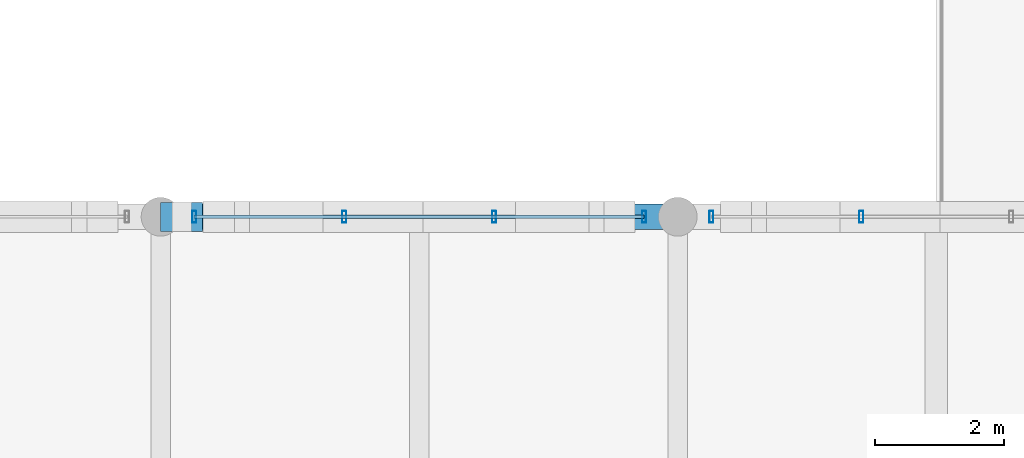
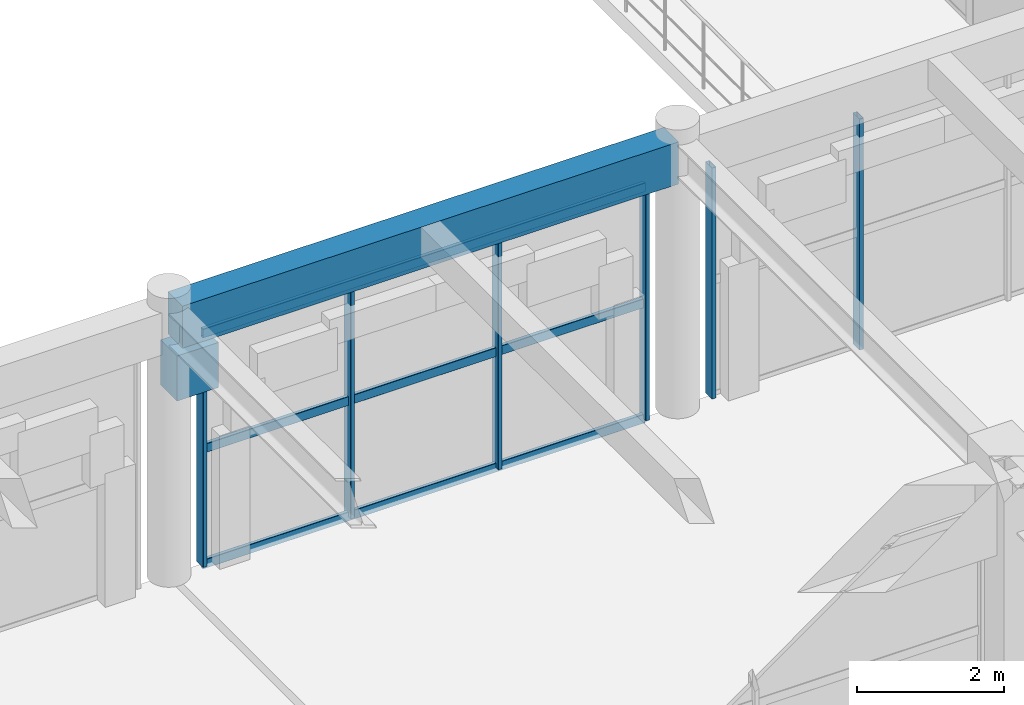
# One storey, part 55 of 144: 9 members, 2 beams, 2 elements without a shape of their own.
"""IFC4 building model written with IfcOpenShell, lengths in metres."""

import ifcopenshell
import ifcopenshell.guid

model = None  # the IFC model being written
_history = None  # IfcOwnerHistory: only IFC2X3 demands one
_inside = {}  # id of a spatial element -> (the spatial element, [elements in it])
_under = {}  # id of a project, library or spatial element -> (it, [spatial elements below it])
_declared = {}  # id of a project -> (the project, [libraries it declares])
_typed = {}  # id of a type object -> (the type object, [elements of that type])
_made_of = {}  # id of a material, layer set ... -> (it, [elements and type objects made of it])


def new_model(schema):
    """Start an empty IFC model of exactly this schema.

    Asked for "IFC4X3", IfcOpenShell would pick the latest addendum, in which some entities
    have other attributes; the version numbers below select the first issue.
    IFC2X3 requires an IfcOwnerHistory on every rooted entity: one is made here for all.
    """
    global model, _history
    if schema == "IFC4X3":
        model = ifcopenshell.file(schema_version=(4, 3, 0, 0))
    else:
        model = ifcopenshell.file(schema=schema)
    _inside.clear()
    _under.clear()
    _declared.clear()
    _typed.clear()
    _made_of.clear()
    _history = None
    if model.schema == "IFC2X3":
        org = make("IfcOrganization", Name="unknown")
        user = make(
            "IfcPersonAndOrganization",
            ThePerson=make("IfcPerson", FamilyName="unknown"),
            TheOrganization=org,
        )
        app = make(
            "IfcApplication",
            ApplicationDeveloper=org,
            Version="unknown",
            ApplicationFullName="unknown",
            ApplicationIdentifier="unknown",
        )
        _history = make(
            "IfcOwnerHistory",
            OwningUser=user,
            OwningApplication=app,
            ChangeAction="ADDED",
            CreationDate=0,
        )
    return model


def make(cls, **values):
    """One entity of the class cls with the attributes given. An attribute that is None is left unset."""
    return model.create_entity(
        cls, **{name: value for name, value in values.items() if value is not None}
    )


def rooted(cls, **values):
    """An entity with a GlobalId (a new one), such as an element, a storey or a relation."""
    return make(cls, GlobalId=ifcopenshell.guid.new(), OwnerHistory=_history, **values)


def si_unit(unit_type, name, prefix=None):
    """IfcSIUnit, for example si_unit("LENGTHUNIT", "METRE", prefix="MILLI")."""
    return make("IfcSIUnit", UnitType=unit_type, Prefix=prefix, Name=name)


def assignment(units):
    """IfcUnitAssignment: the units of a project."""
    return None if units is None else make("IfcUnitAssignment", Units=units)


def point(xyz):
    """IfcCartesianPoint."""
    return None if xyz is None else make("IfcCartesianPoint", Coordinates=xyz)


def direction(xyz):
    """IfcDirection."""
    return None if xyz is None else make("IfcDirection", DirectionRatios=xyz)


def frame(location, z_axis=None, x_axis=None):
    """IfcAxis2Placement3D, a coordinate frame: its origin and axes. An axis left out is left unset."""
    return make(
        "IfcAxis2Placement3D",
        Location=point(location),
        Axis=direction(z_axis),
        RefDirection=direction(x_axis),
    )


def frame_2d(location, x_axis=None):
    """IfcAxis2Placement2D, a coordinate frame in the plane: its origin and x axis."""
    return make(
        "IfcAxis2Placement2D", Location=point(location), RefDirection=direction(x_axis)
    )


def origin():
    """The frame at (0, 0, 0) with its axes left unset."""
    return frame((0.0, 0.0, 0.0))


def origin_2d():
    """The frame at (0, 0) in the plane with its x axis left unset."""
    return frame_2d((0.0, 0.0))


def place(relative_to, where):
    """IfcLocalPlacement: puts the frame where relative to a parent placement (None: the world)."""
    return make(
        "IfcLocalPlacement", PlacementRelTo=relative_to, RelativePlacement=where
    )


def context(
    kind, dimensions, precision=None, world=None, true_north=None, identifier=None
):
    """IfcGeometricRepresentationContext, for example the 3D "Model" context."""
    return make(
        "IfcGeometricRepresentationContext",
        ContextIdentifier=identifier,
        ContextType=kind,
        CoordinateSpaceDimension=dimensions,
        Precision=precision,
        WorldCoordinateSystem=world,
        TrueNorth=true_north,
    )


def subcontext(parent, identifier, kind, view, scale=None):
    """IfcGeometricRepresentationSubContext, for example "Body" below "Model"."""
    return make(
        "IfcGeometricRepresentationSubContext",
        ContextIdentifier=identifier,
        ContextType=kind,
        ParentContext=parent,
        TargetScale=scale,
        TargetView=view,
    )


def project(units=None, contexts=None):
    """IfcProject with its units and contexts."""
    return rooted(
        "IfcProject",
        Name="project",
        RepresentationContexts=contexts,
        UnitsInContext=assignment(units),
    )


def spatial(cls, under=None, at=None, **own):
    """A site, building, storey or space (cls), placed at a placement, below another one or the project."""
    s = rooted(cls, ObjectPlacement=at, **own)
    if under is not None:
        _under.setdefault(under.id(), (under, []))[1].append(s)
    return s


def profile(cls, at=None, kind="AREA", **sizes):
    """A parametric profile (cls). Its sizes go by their IFC names, for example OverallWidth=200.0."""
    return make(cls, ProfileType=kind, Position=at, **sizes)


def rectangle(**sizes):
    """IfcRectangleProfileDef."""
    return profile("IfcRectangleProfileDef", **sizes)


def hollow_rectangle(**sizes):
    """IfcRectangleHollowProfileDef."""
    return profile("IfcRectangleHollowProfileDef", **sizes)


def extrude(swept, where, along, depth):
    """IfcExtrudedAreaSolid: the profile swept, set in the frame where, extruded along a direction by depth."""
    return make(
        "IfcExtrudedAreaSolid",
        SweptArea=swept,
        Position=where,
        ExtrudedDirection=direction(along),
        Depth=depth,
    )


def shape(context_of_items, identifier, shape_type, items):
    """IfcShapeRepresentation: the items that make up one representation, for example the "Body"."""
    return make(
        "IfcShapeRepresentation",
        ContextOfItems=context_of_items,
        RepresentationIdentifier=identifier,
        RepresentationType=shape_type,
        Items=items,
    )


def material(Name=None, Category=None):
    """IfcMaterial."""
    return make("IfcMaterial", Name=Name, Category=Category)


def material_profile(
    of_material, cross_section, Name=None, Category=None, Priority=None
):
    """IfcMaterialProfile: a cross section and its material."""
    return make(
        "IfcMaterialProfile",
        Name=Name,
        Material=of_material,
        Profile=cross_section,
        Priority=Priority,
        Category=Category,
    )


def profile_set(profiles, Name=None, composite=None):
    """IfcMaterialProfileSet."""
    return make(
        "IfcMaterialProfileSet",
        Name=Name,
        MaterialProfiles=profiles,
        CompositeProfile=composite,
    )


def made_of(thing, what):
    """Note that an element or type object is made of a material, layer set ...; save() writes the relation."""
    if what is not None:
        _made_of.setdefault(what.id(), (what, []))[1].append(thing)
    return thing


def type_object(cls, material=None, **own):
    """A type object (cls), such as IfcWallType, which elements share."""
    return made_of(rooted(cls, **own), material)


def element(
    cls,
    number,
    at=None,
    inside=None,
    cuts=None,
    type_object=None,
    material=None,
    context=None,
    identifier="Body",
    shape_type=None,
    held_by="IfcProductDefinitionShape",
    body=None,
    shapes=None,
    **own,
):
    """One element of the class cls, such as IfcWall. Its Tag is "e" and its number.

    at: its placement. inside: the storey or other place that contains it. cuts: it is an
    opening in that element (IfcRelVoidsElement). A single representation is given by context,
    identifier, shape_type and body (its items); several are given by shapes. held_by: the class
    of the entity that holds the representations. save() writes the other relations.
    """
    e = rooted(cls, Tag="e%d" % number, ObjectPlacement=at, **own)
    if body is not None:
        shapes = [shape(context, identifier, shape_type, body)]
    if shapes is not None:
        e.Representation = make(held_by, Representations=shapes)
    if inside is not None:
        _inside.setdefault(inside.id(), (inside, []))[1].append(e)
    if cuts is not None:
        rooted(
            "IfcRelVoidsElement", RelatingBuildingElement=cuts, RelatedOpeningElement=e
        )
    if type_object is not None:
        _typed.setdefault(type_object.id(), (type_object, []))[1].append(e)
    return made_of(e, material)


def aggregate(whole, parts):
    """IfcRelAggregates: a whole, such as a stair, and the parts it consists of."""
    return rooted("IfcRelAggregates", RelatingObject=whole, RelatedObjects=parts)


def save(model, path):
    """Write the relations noted so far, then the file.

    IfcRelAggregates (storeys below a building ...), IfcRelContainedInSpatialStructure (elements
    in a storey), IfcRelDefinesByType, IfcRelAssociatesMaterial and IfcRelDeclares: one each for
    every whole, place, type object, material and project.
    """
    for whole, parts in _under.values():
        aggregate(whole, parts)
    for where, things in _inside.values():
        rooted(
            "IfcRelContainedInSpatialStructure",
            RelatedElements=things,
            RelatingStructure=where,
        )
    for kind, things in _typed.values():
        rooted("IfcRelDefinesByType", RelatedObjects=things, RelatingType=kind)
    for what, things in _made_of.values():
        rooted("IfcRelAssociatesMaterial", RelatedObjects=things, RelatingMaterial=what)
    for by, libraries in _declared.values():
        rooted("IfcRelDeclares", RelatingContext=by, RelatedDefinitions=libraries)
    model.write(path)


model = new_model("IFC4")

# Units and contexts
model_context = context("Model", 3, precision=1e-05, world=origin(), true_north=direction((0.0, 1.0)))
body_context = subcontext(model_context, "Body", "Model", "MODEL_VIEW")
ifc_project = project(units=[si_unit("LENGTHUNIT", "METRE"), si_unit("AREAUNIT", "SQUARE_METRE"), si_unit("VOLUMEUNIT", "CUBIC_METRE"), si_unit("PLANEANGLEUNIT", "RADIAN"), si_unit("MASSUNIT", "GRAM", prefix="KILO")], contexts=[model_context])

# Site, building, storey
site_placement = place(None, origin())
site = spatial("IfcSite", under=ifc_project, at=site_placement, CompositionType="ELEMENT")
building_placement = place(site_placement, origin())
building = spatial("IfcBuilding", under=site, at=building_placement, Name="Varnabhumi Central Station", CompositionType="ELEMENT")
storey_placement = place(building_placement, frame((0.0, 0.0, 4.800048828125)))
storey = spatial("IfcBuildingStorey", under=building, at=storey_placement, Name="L01", CompositionType="ELEMENT", Elevation=4.800048828125)

# Beams
ifc_material_1 = material(Name="Concrete M40", Category="concrete")
ifc_material_profile_1 = material_profile(ifc_material_1, rectangle(XDim=0.39990234375, YDim=0.699951171875, at=origin_2d()), Name="Concrete M40", Category="concrete")
ifc_profile_set_1 = profile_set([ifc_material_profile_1], Name="Concrete M40")
beam_type_1 = type_object("IfcBeamType", Name="BM-RC-400x700", PredefinedType="BEAM", material=ifc_profile_set_1)
beam_1_placement = place(storey_placement, frame((64.10009765625, 89.0, 4.199951171875), z_axis=(1.0, 0.0, 0.0), x_axis=(0.0, 1.0, 0.0)))
element("IfcBeam", 1, at=beam_1_placement, inside=storey, type_object=beam_type_1, Name="Beam L01-L:9-10", PredefinedType="BEAM", context=body_context, shape_type="SweptSolid", body=[
    extrude(rectangle(XDim=0.39990234375, YDim=0.699951171875, at=origin_2d()), origin(), (0.0, 0.0, 1.0), 7.7998046875),
])
ifc_material_profile_2 = material_profile(ifc_material_1, rectangle(XDim=0.449951171875, YDim=0.75, at=origin_2d()), Name="Concrete M40", Category="concrete")
ifc_profile_set_2 = profile_set([ifc_material_profile_2], Name="Concrete M40")
beam_type_2 = type_object("IfcBeamType", Name="BM-RC-450x750", PredefinedType="BEAM", material=ifc_profile_set_2)
beam_2_placement = place(storey_placement, frame((64.0, 89.0, 3.39501953125), z_axis=(1.0, 0.0, 0.0), x_axis=(0.0, 1.0, 0.0)))
element("IfcBeam", 2, at=beam_2_placement, inside=storey, type_object=beam_type_2, Name="Movement Joint 650mm Corbel Seat L01-L-9", PredefinedType="BEAM", context=body_context, shape_type="SweptSolid", body=[
    extrude(rectangle(XDim=0.449951171875, YDim=0.75, at=origin_2d()), origin(), (0.0, 0.0, 1.0), 0.64990234375),
])

# Curtain wall, members
ifc_material_2 = material(Name="Anodised aluminium 6063-T6", Category="aluminium")
curtain_wall_type = type_object("IfcCurtainWallType", Name="CW-PATIO-LOGGIA-L1", PredefinedType="NOTDEFINED", material=ifc_material_2)
curtain_wall_1_placement = place(storey_placement, origin())
curtain_wall_1 = element("IfcCurtainWall", 3, at=curtain_wall_1_placement, inside=storey, type_object=curtain_wall_type, Name="Curtain Wall CW-NP1S3", PredefinedType="NOTDEFINED")
ifc_material_profile_3 = material_profile(ifc_material_2, hollow_rectangle(XDim=0.06494140625, YDim=0.179931640625, WallThickness=0.00390625, InnerFilletRadius=0.001953125, OuterFilletRadius=0.006103515625, at=origin_2d()), Name="Anodised aluminium 6063-T6", Category="aluminium")
ifc_profile_set_3 = profile_set([ifc_material_profile_3], Name="Anodised aluminium 6063-T6")
member_type_1 = type_object("IfcMemberType", Name="CW-MUL-180", PredefinedType="MULLION", material=ifc_profile_set_3)
member_1_placement = place(storey_placement, frame((64.52001953125, 89.0, 0.0), z_axis=(0.0, 0.0, 1.0), x_axis=(1.0, 0.0, 0.0)))
member_1 = element("IfcMember", 4, at=member_1_placement, type_object=member_type_1, Name="Curtain Wall Mullion CW-NP1S3-M1", PredefinedType="MULLION", context=body_context, shape_type="SweptSolid", body=[
    extrude(hollow_rectangle(XDim=0.06494140625, YDim=0.179931640625, WallThickness=0.00390625, InnerFilletRadius=0.001953125, OuterFilletRadius=0.006103515625, at=origin_2d()), origin(), (0.0, 0.0, 1.0), 3.83984375),
])
member_2_placement = place(storey_placement, frame((66.840087890625, 89.0, 0.0), z_axis=(0.0, 0.0, 1.0), x_axis=(1.0, 0.0, 0.0)))
member_2 = element("IfcMember", 5, at=member_2_placement, type_object=member_type_1, Name="Curtain Wall Mullion CW-NP1S3-M2", PredefinedType="MULLION", context=body_context, shape_type="SweptSolid", body=[
    extrude(hollow_rectangle(XDim=0.06494140625, YDim=0.179931640625, WallThickness=0.00390625, InnerFilletRadius=0.001953125, OuterFilletRadius=0.006103515625, at=origin_2d()), origin(), (0.0, 0.0, 1.0), 3.83984375),
])
member_3_placement = place(storey_placement, frame((69.159912109375, 89.0, 0.0), z_axis=(0.0, 0.0, 1.0), x_axis=(1.0, 0.0, 0.0)))
member_3 = element("IfcMember", 6, at=member_3_placement, type_object=member_type_1, Name="Curtain Wall Mullion CW-NP1S3-M3", PredefinedType="MULLION", context=body_context, shape_type="SweptSolid", body=[
    extrude(hollow_rectangle(XDim=0.06494140625, YDim=0.179931640625, WallThickness=0.00390625, InnerFilletRadius=0.001953125, OuterFilletRadius=0.006103515625, at=origin_2d()), origin(), (0.0, 0.0, 1.0), 3.83984375),
])
member_4_placement = place(storey_placement, frame((71.47998046875, 89.0, 0.0), z_axis=(0.0, 0.0, 1.0), x_axis=(1.0, 0.0, 0.0)))
member_4 = element("IfcMember", 7, at=member_4_placement, type_object=member_type_1, Name="Curtain Wall Mullion CW-NP1S3-M4", PredefinedType="MULLION", context=body_context, shape_type="SweptSolid", body=[
    extrude(hollow_rectangle(XDim=0.06494140625, YDim=0.179931640625, WallThickness=0.00390625, InnerFilletRadius=0.001953125, OuterFilletRadius=0.006103515625, at=origin_2d()), origin(), (0.0, 0.0, 1.0), 3.83984375),
])

curtain_wall_2_placement = place(storey_placement, origin())
curtain_wall_2 = element("IfcCurtainWall", 8, at=curtain_wall_2_placement, inside=storey, type_object=curtain_wall_type, Name="Curtain Wall CW-NP1S4", PredefinedType="NOTDEFINED")
member_5_placement = place(storey_placement, frame((72.52001953125, 89.0, 0.0), z_axis=(0.0, 0.0, 1.0), x_axis=(1.0, 0.0, 0.0)))
member_5 = element("IfcMember", 9, at=member_5_placement, type_object=member_type_1, Name="Curtain Wall Mullion CW-NP1S4-M1", PredefinedType="MULLION", context=body_context, shape_type="SweptSolid", body=[
    extrude(hollow_rectangle(XDim=0.06494140625, YDim=0.179931640625, WallThickness=0.00390625, InnerFilletRadius=0.001953125, OuterFilletRadius=0.006103515625, at=origin_2d()), origin(), (0.0, 0.0, 1.0), 3.83984375),
])
member_6_placement = place(storey_placement, frame((74.840087890625, 89.0, 0.0), z_axis=(0.0, 0.0, 1.0), x_axis=(1.0, 0.0, 0.0)))
member_6 = element("IfcMember", 10, at=member_6_placement, type_object=member_type_1, Name="Curtain Wall Mullion CW-NP1S4-M2", PredefinedType="MULLION", context=body_context, shape_type="SweptSolid", body=[
    extrude(hollow_rectangle(XDim=0.06494140625, YDim=0.179931640625, WallThickness=0.00390625, InnerFilletRadius=0.001953125, OuterFilletRadius=0.006103515625, at=origin_2d()), origin(), (0.0, 0.0, 1.0), 3.83984375),
])
aggregate(curtain_wall_2, [member_5, member_6])

# Member
ifc_material_profile_4 = material_profile(ifc_material_2, hollow_rectangle(XDim=0.06005859375, YDim=0.14990234375, WallThickness=0.00390625, InnerFilletRadius=0.001953125, OuterFilletRadius=0.006103515625, at=origin_2d()), Name="Anodised aluminium 6063-T6", Category="aluminium")
ifc_profile_set_4 = profile_set([ifc_material_profile_4], Name="Anodised aluminium 6063-T6")
member_type_2 = type_object("IfcMemberType", Name="CW-TR-150", PredefinedType="USERDEFINED", material=ifc_profile_set_4)
member_7_placement = place(storey_placement, frame((64.52001953125, 89.0, 0.0), z_axis=(1.0, 0.0, 0.0), x_axis=(0.0, 1.0, 0.0)))
member_7 = element("IfcMember", 11, at=member_7_placement, type_object=member_type_2, Name="Curtain Wall Transom CW-NP1S3-T1", ObjectType="TRANSOM", PredefinedType="USERDEFINED", context=body_context, shape_type="SweptSolid", body=[
    extrude(hollow_rectangle(XDim=0.06005859375, YDim=0.14990234375, WallThickness=0.00390625, InnerFilletRadius=0.001953125, OuterFilletRadius=0.006103515625, at=origin_2d()), origin(), (0.0, 0.0, 1.0), 6.9599609375),
])

member_8_placement = place(storey_placement, frame((64.52001953125, 89.0, 1.919921875), z_axis=(1.0, 0.0, 0.0), x_axis=(0.0, 1.0, 0.0)))
member_8 = element("IfcMember", 12, at=member_8_placement, type_object=member_type_2, Name="Curtain Wall Transom CW-NP1S3-T2", ObjectType="TRANSOM", PredefinedType="USERDEFINED", context=body_context, shape_type="SweptSolid", body=[
    extrude(hollow_rectangle(XDim=0.06005859375, YDim=0.14990234375, WallThickness=0.00390625, InnerFilletRadius=0.001953125, OuterFilletRadius=0.006103515625, at=origin_2d()), origin(), (0.0, 0.0, 1.0), 6.9599609375),
])

member_9_placement = place(storey_placement, frame((64.52001953125, 89.0, 3.83984375), z_axis=(1.0, 0.0, 0.0), x_axis=(0.0, 1.0, 0.0)))
member_9 = element("IfcMember", 13, at=member_9_placement, type_object=member_type_2, Name="Curtain Wall Transom CW-NP1S3-T3", ObjectType="TRANSOM", PredefinedType="USERDEFINED", context=body_context, shape_type="SweptSolid", body=[
    extrude(hollow_rectangle(XDim=0.06005859375, YDim=0.14990234375, WallThickness=0.00390625, InnerFilletRadius=0.001953125, OuterFilletRadius=0.006103515625, at=origin_2d()), origin(), (0.0, 0.0, 1.0), 6.9599609375),
])

aggregate(curtain_wall_1, [member_1, member_2, member_3, member_4, member_7, member_8, member_9])

save(model, "model.ifc")
